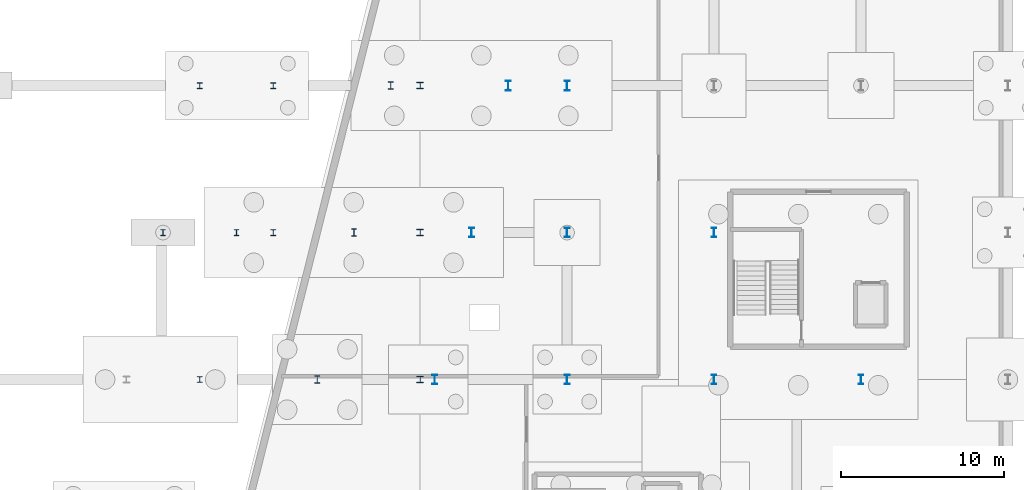
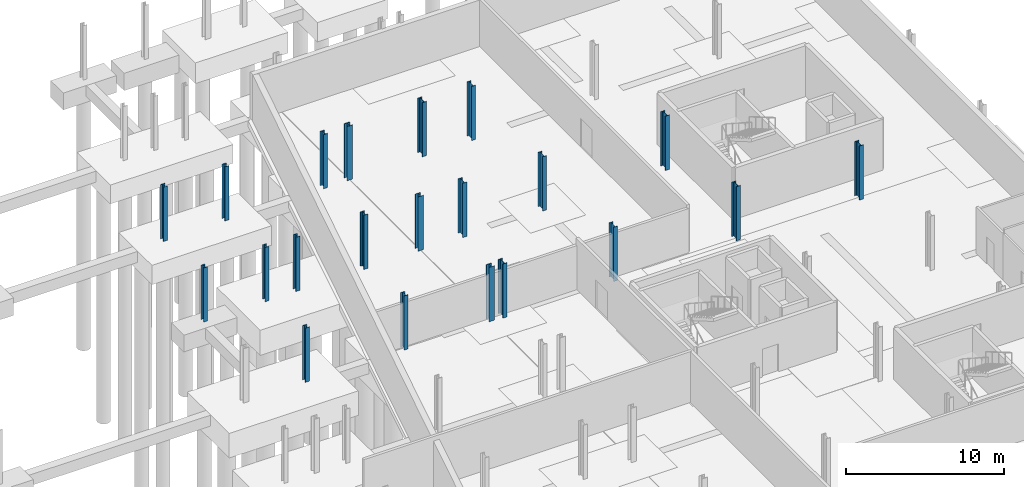
# One storey, part 26 of 42: 21 columns.
"""IFC4 building model written with IfcOpenShell, lengths in metres."""

import ifcopenshell
import ifcopenshell.guid

model = None  # the IFC model being written
_history = None  # IfcOwnerHistory: only IFC2X3 demands one
_inside = {}  # id of a spatial element -> (the spatial element, [elements in it])
_under = {}  # id of a project, library or spatial element -> (it, [spatial elements below it])
_declared = {}  # id of a project -> (the project, [libraries it declares])
_typed = {}  # id of a type object -> (the type object, [elements of that type])
_made_of = {}  # id of a material, layer set ... -> (it, [elements and type objects made of it])


def new_model(schema):
    """Start an empty IFC model of exactly this schema.

    Asked for "IFC4X3", IfcOpenShell would pick the latest addendum, in which some entities
    have other attributes; the version numbers below select the first issue.
    IFC2X3 requires an IfcOwnerHistory on every rooted entity: one is made here for all.
    """
    global model, _history
    if schema == "IFC4X3":
        model = ifcopenshell.file(schema_version=(4, 3, 0, 0))
    else:
        model = ifcopenshell.file(schema=schema)
    _inside.clear()
    _under.clear()
    _declared.clear()
    _typed.clear()
    _made_of.clear()
    _history = None
    if model.schema == "IFC2X3":
        org = make("IfcOrganization", Name="unknown")
        user = make(
            "IfcPersonAndOrganization",
            ThePerson=make("IfcPerson", FamilyName="unknown"),
            TheOrganization=org,
        )
        app = make(
            "IfcApplication",
            ApplicationDeveloper=org,
            Version="unknown",
            ApplicationFullName="unknown",
            ApplicationIdentifier="unknown",
        )
        _history = make(
            "IfcOwnerHistory",
            OwningUser=user,
            OwningApplication=app,
            ChangeAction="ADDED",
            CreationDate=0,
        )
    return model


def make(cls, **values):
    """One entity of the class cls with the attributes given. An attribute that is None is left unset."""
    return model.create_entity(
        cls, **{name: value for name, value in values.items() if value is not None}
    )


def rooted(cls, **values):
    """An entity with a GlobalId (a new one), such as an element, a storey or a relation."""
    return make(cls, GlobalId=ifcopenshell.guid.new(), OwnerHistory=_history, **values)


def si_unit(unit_type, name, prefix=None):
    """IfcSIUnit, for example si_unit("LENGTHUNIT", "METRE", prefix="MILLI")."""
    return make("IfcSIUnit", UnitType=unit_type, Prefix=prefix, Name=name)


def assignment(units):
    """IfcUnitAssignment: the units of a project."""
    return None if units is None else make("IfcUnitAssignment", Units=units)


def point(xyz):
    """IfcCartesianPoint."""
    return None if xyz is None else make("IfcCartesianPoint", Coordinates=xyz)


def direction(xyz):
    """IfcDirection."""
    return None if xyz is None else make("IfcDirection", DirectionRatios=xyz)


def frame(location, z_axis=None, x_axis=None):
    """IfcAxis2Placement3D, a coordinate frame: its origin and axes. An axis left out is left unset."""
    return make(
        "IfcAxis2Placement3D",
        Location=point(location),
        Axis=direction(z_axis),
        RefDirection=direction(x_axis),
    )


def frame_2d(location, x_axis=None):
    """IfcAxis2Placement2D, a coordinate frame in the plane: its origin and x axis."""
    return make(
        "IfcAxis2Placement2D", Location=point(location), RefDirection=direction(x_axis)
    )


def origin():
    """The frame at (0, 0, 0) with its axes left unset."""
    return frame((0.0, 0.0, 0.0))


def origin_2d():
    """The frame at (0, 0) in the plane with its x axis left unset."""
    return frame_2d((0.0, 0.0))


def place(relative_to, where):
    """IfcLocalPlacement: puts the frame where relative to a parent placement (None: the world)."""
    return make(
        "IfcLocalPlacement", PlacementRelTo=relative_to, RelativePlacement=where
    )


def context(
    kind, dimensions, precision=None, world=None, true_north=None, identifier=None
):
    """IfcGeometricRepresentationContext, for example the 3D "Model" context."""
    return make(
        "IfcGeometricRepresentationContext",
        ContextIdentifier=identifier,
        ContextType=kind,
        CoordinateSpaceDimension=dimensions,
        Precision=precision,
        WorldCoordinateSystem=world,
        TrueNorth=true_north,
    )


def subcontext(parent, identifier, kind, view, scale=None):
    """IfcGeometricRepresentationSubContext, for example "Body" below "Model"."""
    return make(
        "IfcGeometricRepresentationSubContext",
        ContextIdentifier=identifier,
        ContextType=kind,
        ParentContext=parent,
        TargetScale=scale,
        TargetView=view,
    )


def project(units=None, contexts=None):
    """IfcProject with its units and contexts."""
    return rooted(
        "IfcProject",
        Name="project",
        RepresentationContexts=contexts,
        UnitsInContext=assignment(units),
    )


def spatial(cls, under=None, at=None, **own):
    """A site, building, storey or space (cls), placed at a placement, below another one or the project."""
    s = rooted(cls, ObjectPlacement=at, **own)
    if under is not None:
        _under.setdefault(under.id(), (under, []))[1].append(s)
    return s


def profile(cls, at=None, kind="AREA", **sizes):
    """A parametric profile (cls). Its sizes go by their IFC names, for example OverallWidth=200.0."""
    return make(cls, ProfileType=kind, Position=at, **sizes)


def i_section(**sizes):
    """IfcIShapeProfileDef."""
    return profile("IfcIShapeProfileDef", **sizes)


def extrude(swept, where, along, depth):
    """IfcExtrudedAreaSolid: the profile swept, set in the frame where, extruded along a direction by depth."""
    return make(
        "IfcExtrudedAreaSolid",
        SweptArea=swept,
        Position=where,
        ExtrudedDirection=direction(along),
        Depth=depth,
    )


def shape(context_of_items, identifier, shape_type, items):
    """IfcShapeRepresentation: the items that make up one representation, for example the "Body"."""
    return make(
        "IfcShapeRepresentation",
        ContextOfItems=context_of_items,
        RepresentationIdentifier=identifier,
        RepresentationType=shape_type,
        Items=items,
    )


def material(Name=None, Category=None):
    """IfcMaterial."""
    return make("IfcMaterial", Name=Name, Category=Category)


def material_profile(
    of_material, cross_section, Name=None, Category=None, Priority=None
):
    """IfcMaterialProfile: a cross section and its material."""
    return make(
        "IfcMaterialProfile",
        Name=Name,
        Material=of_material,
        Profile=cross_section,
        Priority=Priority,
        Category=Category,
    )


def profile_set(profiles, Name=None, composite=None):
    """IfcMaterialProfileSet."""
    return make(
        "IfcMaterialProfileSet",
        Name=Name,
        MaterialProfiles=profiles,
        CompositeProfile=composite,
    )


def made_of(thing, what):
    """Note that an element or type object is made of a material, layer set ...; save() writes the relation."""
    if what is not None:
        _made_of.setdefault(what.id(), (what, []))[1].append(thing)
    return thing


def type_object(cls, material=None, **own):
    """A type object (cls), such as IfcWallType, which elements share."""
    return made_of(rooted(cls, **own), material)


def element(
    cls,
    number,
    at=None,
    inside=None,
    cuts=None,
    type_object=None,
    material=None,
    context=None,
    identifier="Body",
    shape_type=None,
    held_by="IfcProductDefinitionShape",
    body=None,
    shapes=None,
    **own,
):
    """One element of the class cls, such as IfcWall. Its Tag is "e" and its number.

    at: its placement. inside: the storey or other place that contains it. cuts: it is an
    opening in that element (IfcRelVoidsElement). A single representation is given by context,
    identifier, shape_type and body (its items); several are given by shapes. held_by: the class
    of the entity that holds the representations. save() writes the other relations.
    """
    e = rooted(cls, Tag="e%d" % number, ObjectPlacement=at, **own)
    if body is not None:
        shapes = [shape(context, identifier, shape_type, body)]
    if shapes is not None:
        e.Representation = make(held_by, Representations=shapes)
    if inside is not None:
        _inside.setdefault(inside.id(), (inside, []))[1].append(e)
    if cuts is not None:
        rooted(
            "IfcRelVoidsElement", RelatingBuildingElement=cuts, RelatedOpeningElement=e
        )
    if type_object is not None:
        _typed.setdefault(type_object.id(), (type_object, []))[1].append(e)
    return made_of(e, material)


def aggregate(whole, parts):
    """IfcRelAggregates: a whole, such as a stair, and the parts it consists of."""
    return rooted("IfcRelAggregates", RelatingObject=whole, RelatedObjects=parts)


def save(model, path):
    """Write the relations noted so far, then the file.

    IfcRelAggregates (storeys below a building ...), IfcRelContainedInSpatialStructure (elements
    in a storey), IfcRelDefinesByType, IfcRelAssociatesMaterial and IfcRelDeclares: one each for
    every whole, place, type object, material and project.
    """
    for whole, parts in _under.values():
        aggregate(whole, parts)
    for where, things in _inside.values():
        rooted(
            "IfcRelContainedInSpatialStructure",
            RelatedElements=things,
            RelatingStructure=where,
        )
    for kind, things in _typed.values():
        rooted("IfcRelDefinesByType", RelatedObjects=things, RelatingType=kind)
    for what, things in _made_of.values():
        rooted("IfcRelAssociatesMaterial", RelatedObjects=things, RelatingMaterial=what)
    for by, libraries in _declared.values():
        rooted("IfcRelDeclares", RelatingContext=by, RelatedDefinitions=libraries)
    model.write(path)


model = new_model("IFC4")

# Units and contexts
model_context = context("Model", 3, precision=1e-05, world=origin(), true_north=direction((0.0, 1.0)))
body_context = subcontext(model_context, "Body", "Model", "MODEL_VIEW")
ifc_project = project(units=[si_unit("LENGTHUNIT", "METRE"), si_unit("AREAUNIT", "SQUARE_METRE"), si_unit("VOLUMEUNIT", "CUBIC_METRE"), si_unit("PLANEANGLEUNIT", "RADIAN"), si_unit("MASSUNIT", "GRAM", prefix="KILO")], contexts=[model_context])

# Site, building, storey
site_placement = place(None, origin())
site = spatial("IfcSite", under=ifc_project, at=site_placement, CompositionType="ELEMENT")
building_placement = place(site_placement, origin())
building = spatial("IfcBuilding", under=site, at=building_placement, Name="Deido Ridge Mobility Hub", CompositionType="ELEMENT")
storey_placement = place(building_placement, frame((0.0, 0.0, -4.199951171875)))
storey = spatial("IfcBuildingStorey", under=building, at=storey_placement, Name="B1", CompositionType="ELEMENT", Elevation=-4.199951171875)

# Columns
ifc_material = material(Name="Steel S355J2 EN 10025-2", Category="steel")
ifc_material_profile_1 = material_profile(ifc_material, i_section(OverallWidth=0.39892578125, OverallDepth=0.39306640625, WebThickness=0.017578125, FlangeThickness=0.028076171875, FilletRadius=0.014892578125, at=origin_2d()), Name="HD 400x287")
ifc_profile_set_1 = profile_set([ifc_material_profile_1], Name="Steel S355J2 EN 10025-2")
column_type_1 = type_object("IfcColumnType", Name="COL-HD400-287", PredefinedType="COLUMN", material=ifc_profile_set_1)
for number, where, z_axis, x_axis, name in (
    (1, (144.0, 36.0, 0.0), (0.0, 0.0, 1.0), (1.0, 0.0, 0.0), "Structural column C2"),
    (2, (144.0, 45.0, 0.0), (0.0, 0.0, 1.0), (1.0, 0.0, 0.0), "Structural column C2"),
    (3, (144.0, 54.0, 0.0), (0.0, 0.0, 1.0), (1.0, 0.0, 0.0), "Structural column C2"),
):
    element("IfcColumn", number, at=place(storey_placement, frame(where, z_axis=z_axis, x_axis=x_axis)), inside=storey, type_object=column_type_1, Name=name, PredefinedType="COLUMN", context=body_context, shape_type="SweptSolid", body=[
        extrude(i_section(OverallWidth=0.39892578125, OverallDepth=0.39306640625, WebThickness=0.017578125, FlangeThickness=0.028076171875, FilletRadius=0.014892578125, at=origin_2d()), origin(), (0.0, 0.0, 1.0), 4.199951171875),
    ])
ifc_material_profile_2 = material_profile(ifc_material, i_section(OverallWidth=0.300048828125, OverallDepth=0.360107421875, WebThickness=0.012451171875, FlangeThickness=0.0224609375, FilletRadius=0.027099609375, at=origin_2d()), Name="HEB 360")
ifc_profile_set_2 = profile_set([ifc_material_profile_2], Name="Steel S355J2 EN 10025-2")
column_type_2 = type_object("IfcColumnType", Name="COL-HEB360", PredefinedType="COLUMN", material=ifc_profile_set_2)
for number, where, z_axis, x_axis, name in (
    (4, (130.5, 36.0, 0.0), (0.0, 0.0, 1.0), (1.0, 0.0, 0.0), "Structural column C8"),
    (5, (128.25, 45.0, 0.0), (0.0, 0.0, 1.0), (1.0, 0.0, 0.0), "Structural column C8"),
    (6, (132.75, 45.0, 0.0), (0.0, 0.0, 1.0), (1.0, 0.0, 0.0), "Structural column C8"),
    (7, (135.0, 45.0, 0.0), (0.0, 0.0, 1.0), (1.0, 0.0, 0.0), "Structural column C8"),
    (8, (130.5, 54.0, 0.0), (0.0, 0.0, 1.0), (1.0, 0.0, 0.0), "Structural column C8"),
    (9, (135.0, 54.0, 0.0), (0.0, 0.0, 1.0), (1.0, 0.0, 0.0), "Structural column C8"),
):
    element("IfcColumn", number, at=place(storey_placement, frame(where, z_axis=z_axis, x_axis=x_axis)), inside=storey, type_object=column_type_2, Name=name, PredefinedType="COLUMN", context=body_context, shape_type="SweptSolid", body=[
        extrude(i_section(OverallWidth=0.300048828125, OverallDepth=0.360107421875, WebThickness=0.012451171875, FlangeThickness=0.0224609375, FilletRadius=0.027099609375, at=origin_2d()), origin(), (0.0, 0.0, 1.0), 4.199951171875),
    ])
ifc_material_profile_3 = material_profile(ifc_material, i_section(OverallWidth=0.300048828125, OverallDepth=0.449951171875, WebThickness=0.013916015625, FlangeThickness=0.02587890625, FilletRadius=0.027099609375, at=origin_2d()), Name="HEB 450")
ifc_profile_set_3 = profile_set([ifc_material_profile_3], Name="Steel S355J2 EN 10025-2")
column_type_3 = type_object("IfcColumnType", Name="COL-HEB450", PredefinedType="COLUMN", material=ifc_profile_set_3)
for number, where, z_axis, x_axis, name in (
    (10, (137.699951171875, 36.0, 0.0), (0.0, 0.0, 1.0), (1.0, 0.0, 0.0), "Structural column C6"),
    (11, (139.949951171875, 45.0, 0.0), (0.0, 0.0, 1.0), (1.0, 0.0, 0.0), "Structural column C6"),
    (12, (142.199951171875, 54.0, 0.0), (0.0, 0.0, 1.0), (1.0, 0.0, 0.0), "Structural column C6"),
):
    element("IfcColumn", number, at=place(storey_placement, frame(where, z_axis=z_axis, x_axis=x_axis)), inside=storey, type_object=column_type_3, Name=name, PredefinedType="COLUMN", context=body_context, shape_type="SweptSolid", body=[
        extrude(i_section(OverallWidth=0.300048828125, OverallDepth=0.449951171875, WebThickness=0.013916015625, FlangeThickness=0.02587890625, FilletRadius=0.027099609375, at=origin_2d()), origin(), (0.0, 0.0, 1.0), 4.199951171875),
    ])
ifc_material_profile_4 = material_profile(ifc_material, i_section(OverallWidth=0.300048828125, OverallDepth=0.60009765625, WebThickness=0.015380859375, FlangeThickness=0.030029296875, FilletRadius=0.027099609375, at=origin_2d()), Name="HEB 600")
ifc_profile_set_4 = profile_set([ifc_material_profile_4], Name="Steel S355J2 EN 10025-2")
column_type_4 = type_object("IfcColumnType", Name="COL-HEB600", PredefinedType="COLUMN", material=ifc_profile_set_4)
for number, where, z_axis, x_axis, name in (
    (13, (144.89990234375, 36.0, 0.0), (0.0, 0.0, 1.0), (1.0, 0.0, 0.0), "Structural column C4"),
    (14, (153.0, 36.0, 0.0), (0.0, 0.0, 1.0), (1.0, 0.0, 0.0), "Structural column C4"),
    (15, (162.0, 36.0, 0.0), (0.0, 0.0, 1.0), (1.0, 0.0, 0.0), "Structural column C4"),
    (16, (171.0, 36.0, 0.0), (0.0, 0.0, 1.0), (1.0, 0.0, 0.0), "Structural column C4"),
    (17, (147.14990234375, 45.0, 0.0), (0.0, 0.0, 1.0), (1.0, 0.0, 0.0), "Structural column C4"),
    (18, (153.0, 45.0, 0.0), (0.0, 0.0, 1.0), (1.0, 0.0, 0.0), "Structural column C4"),
    (19, (162.0, 45.0, 0.0), (0.0, 0.0, 1.0), (1.0, 0.0, 0.0), "Structural column C4"),
    (20, (149.39990234375, 54.0, 0.0), (0.0, 0.0, 1.0), (1.0, 0.0, 0.0), "Structural column C4"),
    (21, (153.0, 54.0, 0.0), (0.0, 0.0, 1.0), (1.0, 0.0, 0.0), "Structural column C4"),
):
    element("IfcColumn", number, at=place(storey_placement, frame(where, z_axis=z_axis, x_axis=x_axis)), inside=storey, type_object=column_type_4, Name=name, PredefinedType="COLUMN", context=body_context, shape_type="SweptSolid", body=[
        extrude(i_section(OverallWidth=0.300048828125, OverallDepth=0.60009765625, WebThickness=0.015380859375, FlangeThickness=0.030029296875, FilletRadius=0.027099609375, at=origin_2d()), origin(), (0.0, 0.0, 1.0), 4.199951171875),
    ])

save(model, "model.ifc")
